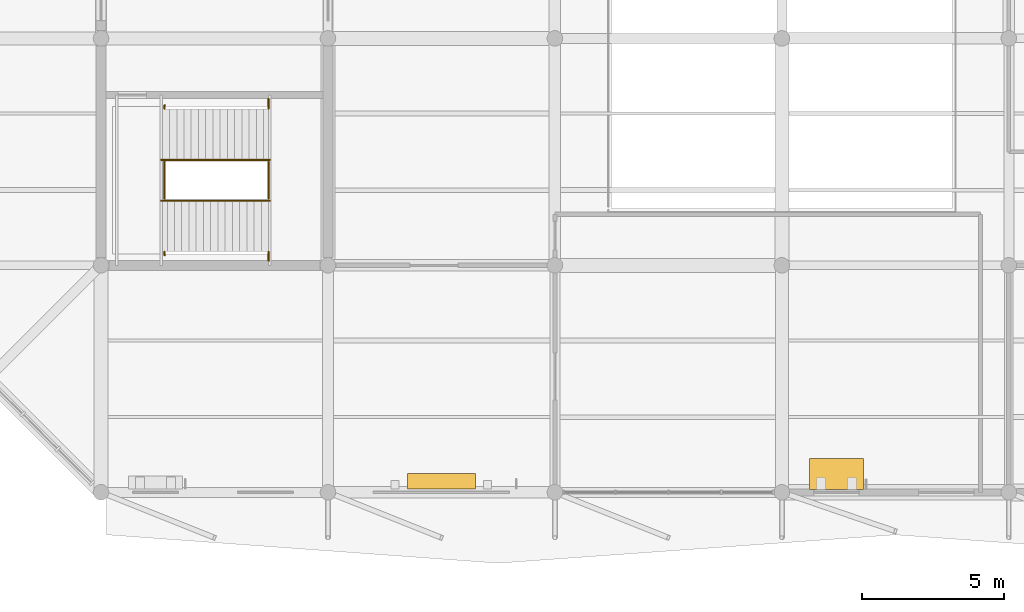
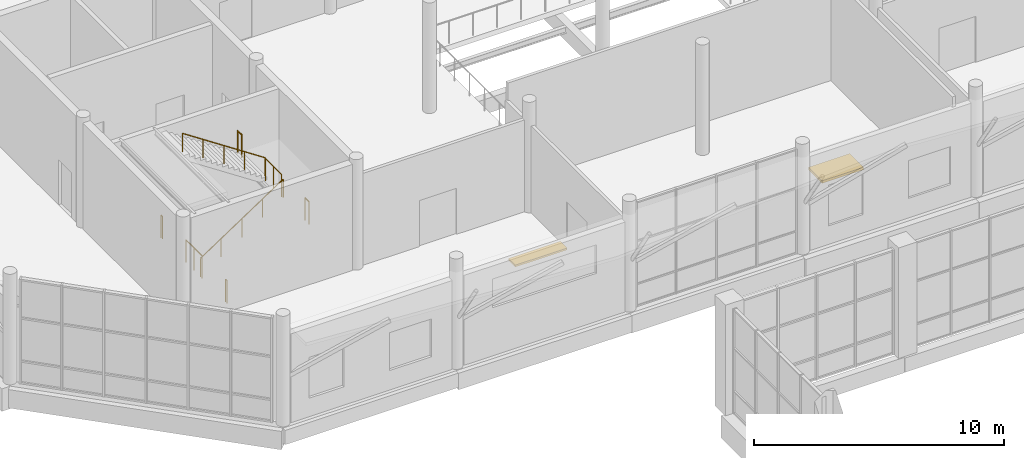
# One storey, part 119 of 122: 8 railings, 2 shading devices, 1 element without a shape of its own.
"""IFC4 building model written with IfcOpenShell, lengths in metres."""

import ifcopenshell
import ifcopenshell.guid

model = None  # the IFC model being written
_history = None  # IfcOwnerHistory: only IFC2X3 demands one
_inside = {}  # id of a spatial element -> (the spatial element, [elements in it])
_under = {}  # id of a project, library or spatial element -> (it, [spatial elements below it])
_declared = {}  # id of a project -> (the project, [libraries it declares])
_typed = {}  # id of a type object -> (the type object, [elements of that type])
_made_of = {}  # id of a material, layer set ... -> (it, [elements and type objects made of it])


def new_model(schema):
    """Start an empty IFC model of exactly this schema.

    Asked for "IFC4X3", IfcOpenShell would pick the latest addendum, in which some entities
    have other attributes; the version numbers below select the first issue.
    IFC2X3 requires an IfcOwnerHistory on every rooted entity: one is made here for all.
    """
    global model, _history
    if schema == "IFC4X3":
        model = ifcopenshell.file(schema_version=(4, 3, 0, 0))
    else:
        model = ifcopenshell.file(schema=schema)
    _inside.clear()
    _under.clear()
    _declared.clear()
    _typed.clear()
    _made_of.clear()
    _history = None
    if model.schema == "IFC2X3":
        org = make("IfcOrganization", Name="unknown")
        user = make(
            "IfcPersonAndOrganization",
            ThePerson=make("IfcPerson", FamilyName="unknown"),
            TheOrganization=org,
        )
        app = make(
            "IfcApplication",
            ApplicationDeveloper=org,
            Version="unknown",
            ApplicationFullName="unknown",
            ApplicationIdentifier="unknown",
        )
        _history = make(
            "IfcOwnerHistory",
            OwningUser=user,
            OwningApplication=app,
            ChangeAction="ADDED",
            CreationDate=0,
        )
    return model


def make(cls, **values):
    """One entity of the class cls with the attributes given. An attribute that is None is left unset."""
    return model.create_entity(
        cls, **{name: value for name, value in values.items() if value is not None}
    )


def rooted(cls, **values):
    """An entity with a GlobalId (a new one), such as an element, a storey or a relation."""
    return make(cls, GlobalId=ifcopenshell.guid.new(), OwnerHistory=_history, **values)


def si_unit(unit_type, name, prefix=None):
    """IfcSIUnit, for example si_unit("LENGTHUNIT", "METRE", prefix="MILLI")."""
    return make("IfcSIUnit", UnitType=unit_type, Prefix=prefix, Name=name)


def assignment(units):
    """IfcUnitAssignment: the units of a project."""
    return None if units is None else make("IfcUnitAssignment", Units=units)


def point(xyz):
    """IfcCartesianPoint."""
    return None if xyz is None else make("IfcCartesianPoint", Coordinates=xyz)


def direction(xyz):
    """IfcDirection."""
    return None if xyz is None else make("IfcDirection", DirectionRatios=xyz)


def frame(location, z_axis=None, x_axis=None):
    """IfcAxis2Placement3D, a coordinate frame: its origin and axes. An axis left out is left unset."""
    return make(
        "IfcAxis2Placement3D",
        Location=point(location),
        Axis=direction(z_axis),
        RefDirection=direction(x_axis),
    )


def frame_2d(location, x_axis=None):
    """IfcAxis2Placement2D, a coordinate frame in the plane: its origin and x axis."""
    return make(
        "IfcAxis2Placement2D", Location=point(location), RefDirection=direction(x_axis)
    )


def origin():
    """The frame at (0, 0, 0) with its axes left unset."""
    return frame((0.0, 0.0, 0.0))


def origin_2d():
    """The frame at (0, 0) in the plane with its x axis left unset."""
    return frame_2d((0.0, 0.0))


def place(relative_to, where):
    """IfcLocalPlacement: puts the frame where relative to a parent placement (None: the world)."""
    return make(
        "IfcLocalPlacement", PlacementRelTo=relative_to, RelativePlacement=where
    )


def context(
    kind, dimensions, precision=None, world=None, true_north=None, identifier=None
):
    """IfcGeometricRepresentationContext, for example the 3D "Model" context."""
    return make(
        "IfcGeometricRepresentationContext",
        ContextIdentifier=identifier,
        ContextType=kind,
        CoordinateSpaceDimension=dimensions,
        Precision=precision,
        WorldCoordinateSystem=world,
        TrueNorth=true_north,
    )


def subcontext(parent, identifier, kind, view, scale=None):
    """IfcGeometricRepresentationSubContext, for example "Body" below "Model"."""
    return make(
        "IfcGeometricRepresentationSubContext",
        ContextIdentifier=identifier,
        ContextType=kind,
        ParentContext=parent,
        TargetScale=scale,
        TargetView=view,
    )


def project(units=None, contexts=None):
    """IfcProject with its units and contexts."""
    return rooted(
        "IfcProject",
        Name="project",
        RepresentationContexts=contexts,
        UnitsInContext=assignment(units),
    )


def spatial(cls, under=None, at=None, **own):
    """A site, building, storey or space (cls), placed at a placement, below another one or the project."""
    s = rooted(cls, ObjectPlacement=at, **own)
    if under is not None:
        _under.setdefault(under.id(), (under, []))[1].append(s)
    return s


def profile(cls, at=None, kind="AREA", **sizes):
    """A parametric profile (cls). Its sizes go by their IFC names, for example OverallWidth=200.0."""
    return make(cls, ProfileType=kind, Position=at, **sizes)


def rectangle(**sizes):
    """IfcRectangleProfileDef."""
    return profile("IfcRectangleProfileDef", **sizes)


def circle(**sizes):
    """IfcCircleProfileDef."""
    return profile("IfcCircleProfileDef", **sizes)


def extrude(swept, where, along, depth):
    """IfcExtrudedAreaSolid: the profile swept, set in the frame where, extruded along a direction by depth."""
    return make(
        "IfcExtrudedAreaSolid",
        SweptArea=swept,
        Position=where,
        ExtrudedDirection=direction(along),
        Depth=depth,
    )


def shape(context_of_items, identifier, shape_type, items):
    """IfcShapeRepresentation: the items that make up one representation, for example the "Body"."""
    return make(
        "IfcShapeRepresentation",
        ContextOfItems=context_of_items,
        RepresentationIdentifier=identifier,
        RepresentationType=shape_type,
        Items=items,
    )


def material(Name=None, Category=None):
    """IfcMaterial."""
    return make("IfcMaterial", Name=Name, Category=Category)


def layer(
    of_material, thickness, ventilated=None, Name=None, Category=None, Priority=None
):
    """IfcMaterialLayer: one layer of a wall or slab, of a material (None: an air gap)."""
    return make(
        "IfcMaterialLayer",
        Material=of_material,
        LayerThickness=thickness,
        IsVentilated=ventilated,
        Name=Name,
        Category=Category,
        Priority=Priority,
    )


def layer_set(layers, Name=None):
    """IfcMaterialLayerSet."""
    return make("IfcMaterialLayerSet", MaterialLayers=layers, LayerSetName=Name)


def made_of(thing, what):
    """Note that an element or type object is made of a material, layer set ...; save() writes the relation."""
    if what is not None:
        _made_of.setdefault(what.id(), (what, []))[1].append(thing)
    return thing


def type_object(cls, material=None, **own):
    """A type object (cls), such as IfcWallType, which elements share."""
    return made_of(rooted(cls, **own), material)


def element(
    cls,
    number,
    at=None,
    inside=None,
    cuts=None,
    type_object=None,
    material=None,
    context=None,
    identifier="Body",
    shape_type=None,
    held_by="IfcProductDefinitionShape",
    body=None,
    shapes=None,
    **own,
):
    """One element of the class cls, such as IfcWall. Its Tag is "e" and its number.

    at: its placement. inside: the storey or other place that contains it. cuts: it is an
    opening in that element (IfcRelVoidsElement). A single representation is given by context,
    identifier, shape_type and body (its items); several are given by shapes. held_by: the class
    of the entity that holds the representations. save() writes the other relations.
    """
    e = rooted(cls, Tag="e%d" % number, ObjectPlacement=at, **own)
    if body is not None:
        shapes = [shape(context, identifier, shape_type, body)]
    if shapes is not None:
        e.Representation = make(held_by, Representations=shapes)
    if inside is not None:
        _inside.setdefault(inside.id(), (inside, []))[1].append(e)
    if cuts is not None:
        rooted(
            "IfcRelVoidsElement", RelatingBuildingElement=cuts, RelatedOpeningElement=e
        )
    if type_object is not None:
        _typed.setdefault(type_object.id(), (type_object, []))[1].append(e)
    return made_of(e, material)


def aggregate(whole, parts):
    """IfcRelAggregates: a whole, such as a stair, and the parts it consists of."""
    return rooted("IfcRelAggregates", RelatingObject=whole, RelatedObjects=parts)


def save(model, path):
    """Write the relations noted so far, then the file.

    IfcRelAggregates (storeys below a building ...), IfcRelContainedInSpatialStructure (elements
    in a storey), IfcRelDefinesByType, IfcRelAssociatesMaterial and IfcRelDeclares: one each for
    every whole, place, type object, material and project.
    """
    for whole, parts in _under.values():
        aggregate(whole, parts)
    for where, things in _inside.values():
        rooted(
            "IfcRelContainedInSpatialStructure",
            RelatedElements=things,
            RelatingStructure=where,
        )
    for kind, things in _typed.values():
        rooted("IfcRelDefinesByType", RelatedObjects=things, RelatingType=kind)
    for what, things in _made_of.values():
        rooted("IfcRelAssociatesMaterial", RelatedObjects=things, RelatingMaterial=what)
    for by, libraries in _declared.values():
        rooted("IfcRelDeclares", RelatingContext=by, RelatedDefinitions=libraries)
    model.write(path)


model = new_model("IFC4")

# Units and contexts
model_context = context("Model", 3, precision=1e-05, world=origin(), true_north=direction((0.0, 1.0)))
body_context = subcontext(model_context, "Body", "Model", "MODEL_VIEW")
ifc_project = project(units=[si_unit("LENGTHUNIT", "METRE"), si_unit("AREAUNIT", "SQUARE_METRE"), si_unit("VOLUMEUNIT", "CUBIC_METRE"), si_unit("PLANEANGLEUNIT", "RADIAN"), si_unit("MASSUNIT", "GRAM", prefix="KILO")], contexts=[model_context])

# Site, building, storey
site_placement = place(None, origin())
site = spatial("IfcSite", under=ifc_project, at=site_placement, CompositionType="ELEMENT")
building_placement = place(site_placement, origin())
building = spatial("IfcBuilding", under=site, at=building_placement, Name="Tenunan Teduh Sports Hall", CompositionType="ELEMENT")
storey_placement = place(building_placement, frame((0.0, 0.0, 5.39990234375)))
storey = spatial("IfcBuildingStorey", under=building, at=storey_placement, Name="L01", CompositionType="ELEMENT", Elevation=5.39990234375)

# Railings
ifc_material_1 = material(Name="Galvanised and powder-coated steel", Category="steel")
ifc_layer_1 = layer(ifc_material_1, 0.070068359375)
ifc_layer_set_1 = layer_set([ifc_layer_1], Name="Galvanised and powder-coated steel")
railing_type_1 = type_object("IfcRailingType", Name="RLG-EXT-GRD", PredefinedType="GUARDRAIL", material=ifc_layer_set_1)
railing_1_placement = place(storey_placement, frame((108.239990234375, 96.35009765625, 0.0)))
element("IfcRailing", 1, at=railing_1_placement, inside=storey, type_object=railing_type_1, Name="RLG-STW-WLND-E1-L00", PredefinedType="GUARDRAIL", context=body_context, shape_type="SweptSolid", body=[
    extrude(circle(Radius=0.02392578125, at=origin_2d()), frame((0.0, 0.0, 1.09619140625), z_axis=(0.0, 1.0, 0.0), x_axis=(-1.0, 0.0, 0.0)), (0.0, 0.0, 1.0), 1.2998046875),
    extrude(circle(Radius=0.02099609375, at=origin_2d()), origin(), (0.0, 0.0, 1.0), 1.072021484375),
    extrude(circle(Radius=0.02099609375, at=origin_2d()), frame((0.0, 0.64990234375, 0.0)), (0.0, 0.0, 1.0), 1.072021484375),
    extrude(circle(Radius=0.02099609375, at=origin_2d()), frame((0.0, 1.2998046875, 0.0)), (0.0, 0.0, 1.0), 1.072021484375),
])
for number, where, name in (
    (2, (108.239990234375, 94.360107421875, 0.0), "RLG-STW-WLNDS-E1-L00"),
    (3, (108.239990234375, 99.530029296875, 0.0), "RLG-STW-WLNDN-E1-L00"),
):
    element("IfcRailing", number, at=place(storey_placement, frame(where)), inside=storey, type_object=railing_type_1, Name=name, PredefinedType="GUARDRAIL", context=body_context, shape_type="SweptSolid", body=[
        extrude(circle(Radius=0.02392578125, at=origin_2d()), frame((0.0, 0.0, 1.09619140625), z_axis=(0.0, 1.0, 0.0), x_axis=(-1.0, 0.0, 0.0)), (0.0, 0.0, 1.0), 0.10986328125),
        extrude(circle(Radius=0.02099609375, at=origin_2d()), origin(), (0.0, 0.0, 1.0), 1.072021484375),
        extrude(circle(Radius=0.02099609375, at=origin_2d()), frame((0.0, 0.10986328125, 0.0)), (0.0, 0.0, 1.0), 1.072021484375),
    ])
railing_2_placement = place(storey_placement, frame((111.905029296875, 96.35009765625, 2.7001953125)))
element("IfcRailing", 4, at=railing_2_placement, inside=storey, type_object=railing_type_1, Name="RLG-STW-MID-E1-L01", PredefinedType="GUARDRAIL", context=body_context, shape_type="SweptSolid", body=[
    extrude(circle(Radius=0.02392578125, at=origin_2d()), frame((0.0, 0.0, 1.09619140625), z_axis=(0.0, 1.0, 0.0), x_axis=(-1.0, 0.0, 0.0)), (0.0, 0.0, 1.0), 1.2998046875),
    extrude(circle(Radius=0.02099609375, at=origin_2d()), origin(), (0.0, 0.0, 1.0), 1.072021484375),
    extrude(circle(Radius=0.02099609375, at=origin_2d()), frame((0.0, 0.64990234375, 0.0)), (0.0, 0.0, 1.0), 1.072021484375),
    extrude(circle(Radius=0.02099609375, at=origin_2d()), frame((0.0, 1.2998046875, 0.0)), (0.0, 0.0, 1.0), 1.072021484375),
])
railing_3_placement = place(storey_placement, frame((111.905029296875, 94.159912109375, 2.7001953125)))
element("IfcRailing", 5, at=railing_3_placement, inside=storey, type_object=railing_type_1, Name="RLG-STW-MIDS-E1-L01", PredefinedType="GUARDRAIL", context=body_context, shape_type="SweptSolid", body=[
    extrude(circle(Radius=0.02392578125, at=origin_2d()), frame((0.0, 0.0, 1.09619140625), z_axis=(0.0, 1.0, 0.0), x_axis=(-1.0, 0.0, 0.0)), (0.0, 0.0, 1.0), 0.31005859375),
    extrude(circle(Radius=0.02099609375, at=origin_2d()), origin(), (0.0, 0.0, 1.0), 1.072021484375),
    extrude(circle(Radius=0.02099609375, at=origin_2d()), frame((0.0, 0.31005859375, 0.0)), (0.0, 0.0, 1.0), 1.072021484375),
])
railing_4_placement = place(storey_placement, frame((111.905029296875, 99.530029296875, 2.7001953125)))
element("IfcRailing", 6, at=railing_4_placement, inside=storey, type_object=railing_type_1, Name="RLG-STW-MIDN-E1-L01", PredefinedType="GUARDRAIL", context=body_context, shape_type="SweptSolid", body=[
    extrude(circle(Radius=0.02392578125, at=origin_2d()), frame((0.0, 0.0, 1.09619140625), z_axis=(0.0, 1.0, 0.0), x_axis=(-1.0, 0.0, 0.0)), (0.0, 0.0, 1.0), 0.340087890625),
    extrude(circle(Radius=0.02099609375, at=origin_2d()), origin(), (0.0, 0.0, 1.0), 1.072021484375),
    extrude(circle(Radius=0.02099609375, at=origin_2d()), frame((0.0, 0.340087890625, 0.0)), (0.0, 0.0, 1.0), 1.072021484375),
])

# Stair, railings
ifc_material_2 = material(Name="Precast concrete C40/50", Category="concrete")
stair_type = type_object("IfcStairType", Name="STR-CORE-54", PredefinedType="HALF_TURN_STAIR", material=ifc_material_2)
stair_placement = place(storey_placement, origin())
stair = element("IfcStair", 7, at=stair_placement, inside=storey, type_object=stair_type, Name="STR-E1-L01", PredefinedType="HALF_TURN_STAIR")
ifc_material_3 = material(Name="Brushed stainless steel", Category="steel")
ifc_layer_2 = layer(ifc_material_3, 0.050048828125)
ifc_layer_set_2 = layer_set([ifc_layer_2], Name="Brushed stainless steel")
railing_type_2 = type_object("IfcRailingType", Name="RLG-STAIR-HR", PredefinedType="HANDRAIL", material=ifc_layer_set_2)
railing_5_placement = place(storey_placement, frame((108.1201171875, 96.280029296875, 0.1689453125)))
railing_5 = element("IfcRailing", 8, at=railing_5_placement, type_object=railing_type_2, Name="STR-E1-L01-HR1", PredefinedType="HANDRAIL", context=body_context, shape_type="SweptSolid", body=[
    extrude(circle(Radius=0.02392578125, at=origin_2d()), frame((0.0, 0.0, 0.89599609375), z_axis=(0.833928963496, 0.0, 0.551871800187), x_axis=(0.0, 1.0, 0.0)), (0.0, 0.0, 1.0), 4.586669921875),
    extrude(circle(Radius=0.02099609375, at=origin_2d()), origin(), (0.0, 0.0, 1.0), 0.871826171875),
    extrude(circle(Radius=0.02099609375, at=origin_2d()), frame((0.956298828125, 0.0, 0.6328125)), (0.0, 0.0, 1.0), 0.871826171875),
    extrude(circle(Radius=0.02099609375, at=origin_2d()), frame((1.91259765625, 0.0, 1.265625)), (0.0, 0.0, 1.0), 0.871826171875),
    extrude(circle(Radius=0.02099609375, at=origin_2d()), frame((2.86865234375, 0.0, 1.8984375)), (0.0, 0.0, 1.0), 0.871826171875),
    extrude(circle(Radius=0.02099609375, at=origin_2d()), frame((3.824951171875, 0.0, 2.53125)), (0.0, 0.0, 1.0), 0.871826171875),
])
railing_6_placement = place(storey_placement, frame((111.945068359375, 97.719970703125, 2.868896484375)))
railing_6 = element("IfcRailing", 9, at=railing_6_placement, type_object=railing_type_2, Name="STR-E1-L01-HR2", PredefinedType="HANDRAIL", context=body_context, shape_type="SweptSolid", body=[
    extrude(circle(Radius=0.02392578125, at=origin_2d()), frame((0.0, 0.0, 0.89599609375), z_axis=(-0.833928963496, 0.0, 0.551871800187), x_axis=(0.0, -1.0, 0.0)), (0.0, 0.0, 1.0), 4.586669921875),
    extrude(circle(Radius=0.02099609375, at=origin_2d()), origin(), (0.0, 0.0, 1.0), 0.871826171875),
    extrude(circle(Radius=0.02099609375, at=origin_2d()), frame((-0.956298828125, 0.0, 0.6328125)), (0.0, 0.0, 1.0), 0.871826171875),
    extrude(circle(Radius=0.02099609375, at=origin_2d()), frame((-1.91259765625, 0.0, 1.265625)), (0.0, 0.0, 1.0), 0.871826171875),
    extrude(circle(Radius=0.02099609375, at=origin_2d()), frame((-2.86865234375, 0.0, 1.8984375)), (0.0, 0.0, 1.0), 0.871826171875),
    extrude(circle(Radius=0.02099609375, at=origin_2d()), frame((-3.824951171875, 0.0, 2.53125)), (0.0, 0.0, 1.0), 0.871826171875),
])
aggregate(stair, [railing_5, railing_6])

# Shading devices
ifc_material_4 = material(Name="Perforated anodised aluminium", Category="aluminium")
shading_device_type_1 = type_object("IfcShadingDeviceType", Name="SHD-LOUVRE-2", PredefinedType="SHUTTER", material=ifc_material_4)
shading_device_1_placement = place(storey_placement, frame((117.9951171875, 86.389892578125, 3.76513671875), z_axis=(0.0, 0.0, 1.0), x_axis=(1.0, 0.0, 0.0)))
element("IfcShadingDevice", 10, at=shading_device_1_placement, inside=storey, type_object=shading_device_type_1, Name="SHD-L01-082", PredefinedType="SHUTTER", context=body_context, shape_type="SweptSolid", body=[
    extrude(rectangle(XDim=2.39990234375, YDim=0.550048828125, at=origin_2d()), origin(), (0.0, 0.0, 1.0), 0.090087890625),
])
ifc_material_5 = material(Name="Perforated anodised aluminium", Category="aluminium")
shading_device_type_2 = type_object("IfcShadingDeviceType", Name="SHD-SUNSHADE-1", PredefinedType="JALOUSIE", material=ifc_material_5)
shading_device_2_placement = place(storey_placement, frame((131.925048828125, 86.64990234375, 2.900146484375), z_axis=(0.0, 0.0, 1.0), x_axis=(1.0, 0.0, 0.0)))
element("IfcShadingDevice", 11, at=shading_device_2_placement, inside=storey, type_object=shading_device_type_2, Name="SHD-L01-083", PredefinedType="JALOUSIE", context=body_context, shape_type="SweptSolid", body=[
    extrude(rectangle(XDim=1.89990234375, YDim=1.10009765625, at=origin_2d()), origin(), (0.0, 0.0, 1.0), 0.1201171875),
])

save(model, "model.ifc")
